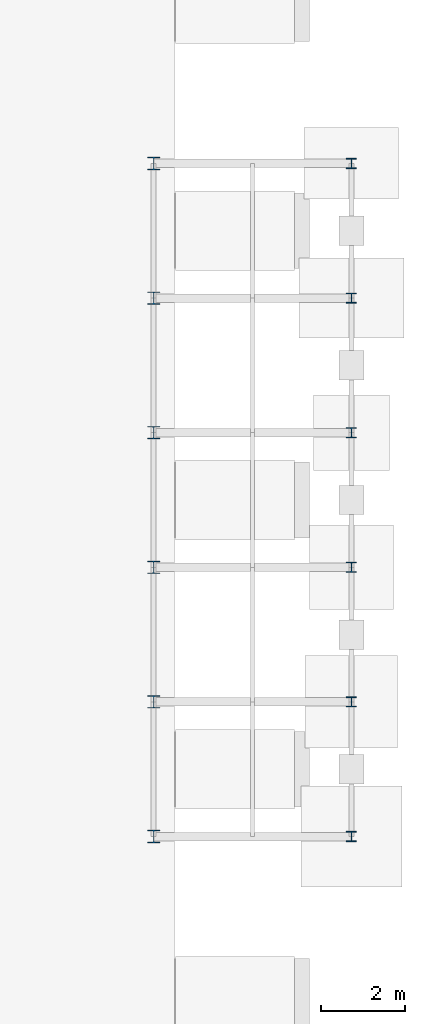
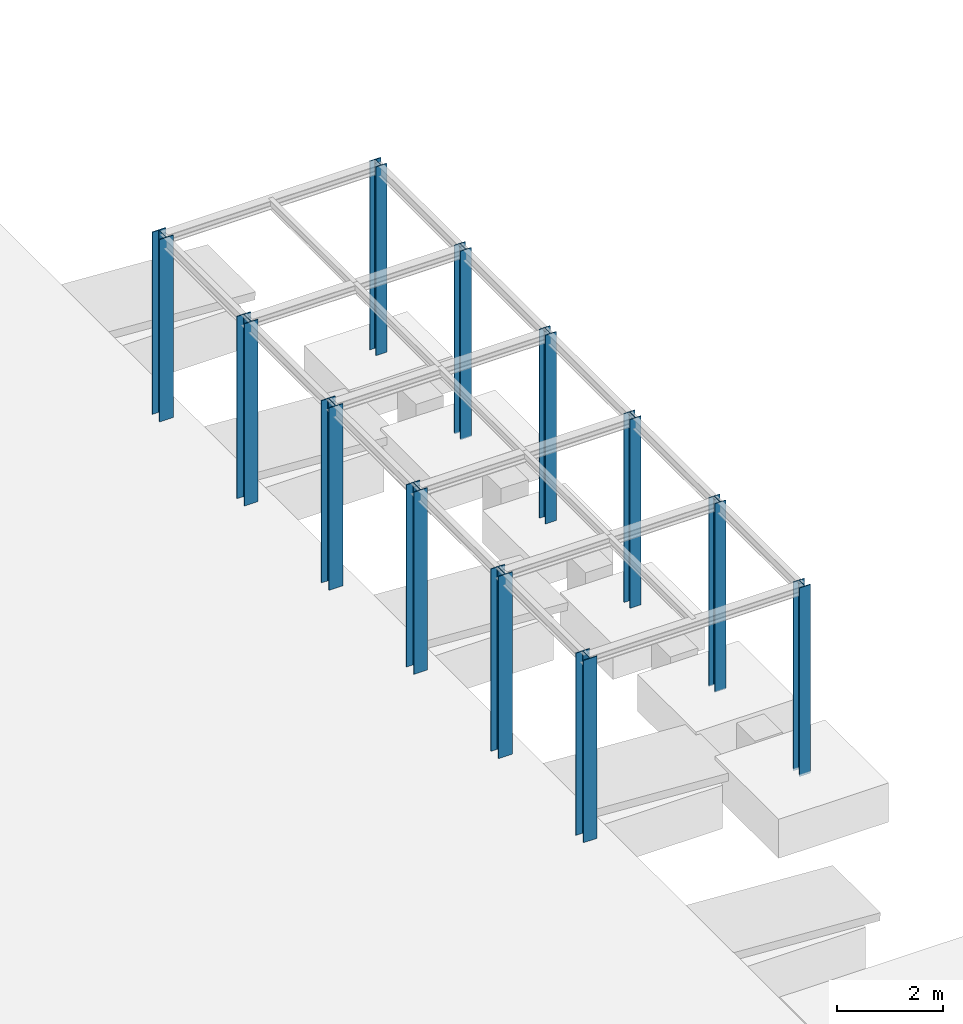
# One storey, part 2 of 16: 12 columns.
"""IFC4 building model written with IfcOpenShell, lengths in metres."""

from ifc_helpers import new_model, si_unit, direction, frame, origin, origin_2d, place, context, subcontext, project, spatial, i_section, extrude, source, transform, mapped, material, material_profile, profile_set, type_object, element, save


model = new_model("IFC4")

# Units and contexts
model_context = context("Model", 3, precision=1e-05, world=origin(), true_north=direction((0.0, 1.0)))
body_context = subcontext(model_context, "Body", "Model", "MODEL_VIEW")
ifc_project = project(units=[si_unit("LENGTHUNIT", "METRE"), si_unit("AREAUNIT", "SQUARE_METRE"), si_unit("VOLUMEUNIT", "CUBIC_METRE"), si_unit("PLANEANGLEUNIT", "RADIAN"), si_unit("MASSUNIT", "GRAM", prefix="KILO")], contexts=[model_context])

# Site, building, storey
site_placement = place(None, origin())
site = spatial("IfcSite", under=ifc_project, at=site_placement, CompositionType="ELEMENT")
building_placement = place(site_placement, origin())
building = spatial("IfcBuilding", under=site, at=building_placement, Name="Qafzar Sky-Pleat Residences", CompositionType="ELEMENT")
storey_placement = place(building_placement, origin())
storey = spatial("IfcBuildingStorey", under=building, at=storey_placement, Name="L00", CompositionType="ELEMENT", Elevation=0.0)

# Columns
ifc_material = material(Name="Steel S355", Category="steel")
ifc_material_profile_1 = material_profile(ifc_material, i_section(OverallWidth=0.239990234375, OverallDepth=0.239990234375, WebThickness=0.010009765625, FlangeThickness=0.01708984375, FilletRadius=0.02099609375, at=origin_2d()), Name="HEB 240")
ifc_profile_set_1 = profile_set([ifc_material_profile_1], Name="Steel S355")
column_type_1 = type_object("IfcColumnType", Name="COL-STL-HEB240", PredefinedType="COLUMN", material=ifc_profile_set_1)
shared_shape_1 = source(origin(), body_context, "Body", "SweptSolid", [
    extrude(i_section(OverallWidth=0.239990234375, OverallDepth=0.239990234375, WebThickness=0.010009765625, FlangeThickness=0.01708984375, FilletRadius=0.02099609375, at=origin_2d()), origin(), (0.0, 0.0, 1.0), 4.349853515625),
])
for number, where, z_axis, x_axis, name in (
    (1, (76.199951171875, 18.0, -0.14990234375), (0.0, 0.0, 1.0), (1.0, 0.0, 0.0), "Wadi Canopy Outer Column 1"),
    (2, (76.199951171875, 21.199951171875, -0.14990234375), (0.0, 0.0, 1.0), (1.0, 0.0, 0.0), "Wadi Canopy Outer Column 2"),
    (3, (76.199951171875, 24.39990234375, -0.14990234375), (0.0, 0.0, 1.0), (1.0, 0.0, 0.0), "Wadi Canopy Outer Column 3"),
    (4, (76.199951171875, 27.60009765625, -0.14990234375), (0.0, 0.0, 1.0), (1.0, 0.0, 0.0), "Wadi Canopy Outer Column 4"),
    (5, (76.199951171875, 30.800048828125, -0.14990234375), (0.0, 0.0, 1.0), (1.0, 0.0, 0.0), "Wadi Canopy Outer Column 5"),
    (6, (76.199951171875, 34.0, -0.14990234375), (0.0, 0.0, 1.0), (1.0, 0.0, 0.0), "Wadi Canopy Outer Column 6"),
):
    element("IfcColumn", number, at=place(storey_placement, frame(where, z_axis=z_axis, x_axis=x_axis)), inside=storey, type_object=column_type_1, Name=name, PredefinedType="COLUMN", context=body_context, shape_type="MappedRepresentation", body=[
        mapped(shared_shape_1, transform((0.0, 0.0, 0.0), x_axis=(1.0, 0.0, 0.0), y_axis=(0.0, 1.0, 0.0), z_axis=(0.0, 0.0, 1.0), scale=1.0)),
    ])
ifc_material_profile_2 = material_profile(ifc_material, i_section(OverallWidth=0.300048828125, OverallDepth=0.300048828125, WebThickness=0.010986328125, FlangeThickness=0.01904296875, FilletRadius=0.027099609375, at=origin_2d()), Name="HEB 300")
ifc_profile_set_2 = profile_set([ifc_material_profile_2], Name="Steel S355")
column_type_2 = type_object("IfcColumnType", Name="COL-STL-HEB300", PredefinedType="COLUMN", material=ifc_profile_set_2)
shared_shape_2 = source(origin(), body_context, "Body", "SweptSolid", [
    extrude(i_section(OverallWidth=0.300048828125, OverallDepth=0.300048828125, WebThickness=0.010986328125, FlangeThickness=0.01904296875, FilletRadius=0.027099609375, at=origin_2d()), origin(), (0.0, 0.0, 1.0), 4.199951171875),
])
for number, where, z_axis, x_axis, name in (
    (7, (71.5, 18.0, 0.0), (0.0, 0.0, 1.0), (1.0, 0.0, 0.0), "Wadi Canopy Inner Column 1"),
    (8, (71.5, 21.199951171875, 0.0), (0.0, 0.0, 1.0), (1.0, 0.0, 0.0), "Wadi Canopy Inner Column 2"),
    (9, (71.5, 24.39990234375, 0.0), (0.0, 0.0, 1.0), (1.0, 0.0, 0.0), "Wadi Canopy Inner Column 3"),
    (10, (71.5, 27.60009765625, 0.0), (0.0, 0.0, 1.0), (1.0, 0.0, 0.0), "Wadi Canopy Inner Column 4"),
    (11, (71.5, 30.800048828125, 0.0), (0.0, 0.0, 1.0), (1.0, 0.0, 0.0), "Wadi Canopy Inner Column 5"),
    (12, (71.5, 34.0, 0.0), (0.0, 0.0, 1.0), (1.0, 0.0, 0.0), "Wadi Canopy Inner Column 6"),
):
    element("IfcColumn", number, at=place(storey_placement, frame(where, z_axis=z_axis, x_axis=x_axis)), inside=storey, type_object=column_type_2, Name=name, PredefinedType="COLUMN", context=body_context, shape_type="MappedRepresentation", body=[
        mapped(shared_shape_2, transform((0.0, 0.0, 0.0), x_axis=(1.0, 0.0, 0.0), y_axis=(0.0, 1.0, 0.0), z_axis=(0.0, 0.0, 1.0), scale=1.0)),
    ])

save(model, "model.ifc")
